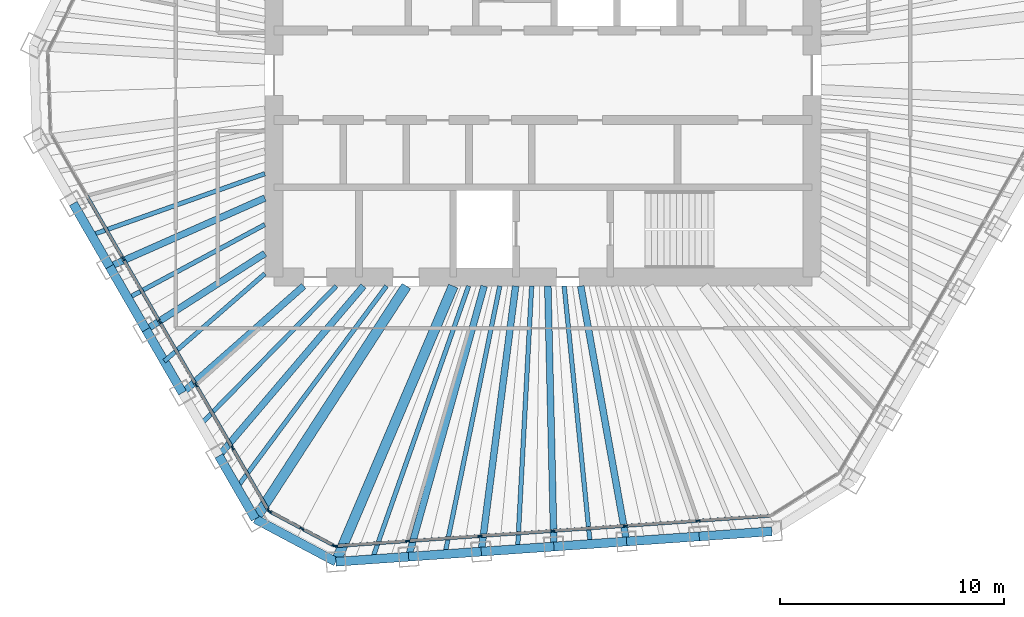
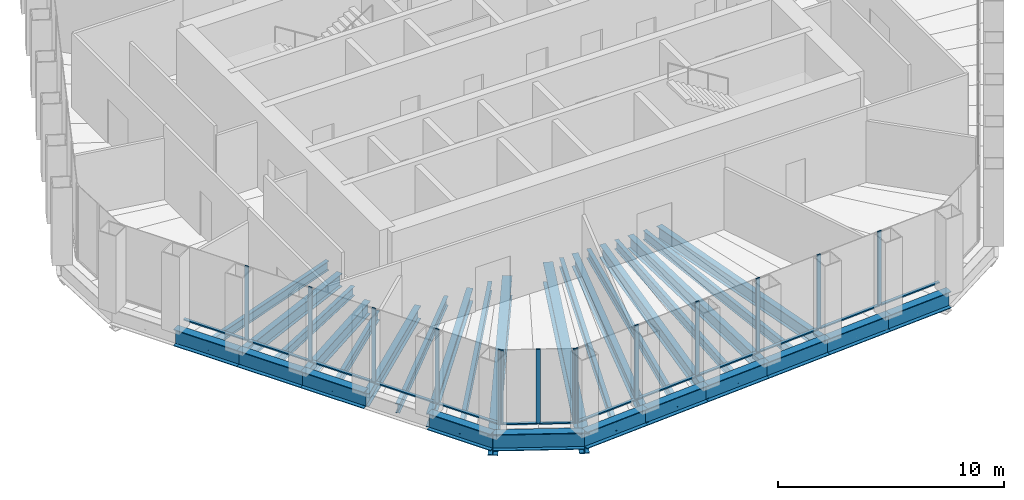
# One storey, part 2 of 14: 30 beams, 27 members, 3 elements without a shape of their own.
"""IFC4 building model written with IfcOpenShell, lengths in metres."""

import ifcopenshell
import ifcopenshell.guid

model = None  # the IFC model being written
_history = None  # IfcOwnerHistory: only IFC2X3 demands one
_inside = {}  # id of a spatial element -> (the spatial element, [elements in it])
_under = {}  # id of a project, library or spatial element -> (it, [spatial elements below it])
_declared = {}  # id of a project -> (the project, [libraries it declares])
_typed = {}  # id of a type object -> (the type object, [elements of that type])
_made_of = {}  # id of a material, layer set ... -> (it, [elements and type objects made of it])


def new_model(schema):
    """Start an empty IFC model of exactly this schema.

    Asked for "IFC4X3", IfcOpenShell would pick the latest addendum, in which some entities
    have other attributes; the version numbers below select the first issue.
    IFC2X3 requires an IfcOwnerHistory on every rooted entity: one is made here for all.
    """
    global model, _history
    if schema == "IFC4X3":
        model = ifcopenshell.file(schema_version=(4, 3, 0, 0))
    else:
        model = ifcopenshell.file(schema=schema)
    _inside.clear()
    _under.clear()
    _declared.clear()
    _typed.clear()
    _made_of.clear()
    _history = None
    if model.schema == "IFC2X3":
        org = make("IfcOrganization", Name="unknown")
        user = make(
            "IfcPersonAndOrganization",
            ThePerson=make("IfcPerson", FamilyName="unknown"),
            TheOrganization=org,
        )
        app = make(
            "IfcApplication",
            ApplicationDeveloper=org,
            Version="unknown",
            ApplicationFullName="unknown",
            ApplicationIdentifier="unknown",
        )
        _history = make(
            "IfcOwnerHistory",
            OwningUser=user,
            OwningApplication=app,
            ChangeAction="ADDED",
            CreationDate=0,
        )
    return model


def make(cls, **values):
    """One entity of the class cls with the attributes given. An attribute that is None is left unset."""
    return model.create_entity(
        cls, **{name: value for name, value in values.items() if value is not None}
    )


def rooted(cls, **values):
    """An entity with a GlobalId (a new one), such as an element, a storey or a relation."""
    return make(cls, GlobalId=ifcopenshell.guid.new(), OwnerHistory=_history, **values)


def si_unit(unit_type, name, prefix=None):
    """IfcSIUnit, for example si_unit("LENGTHUNIT", "METRE", prefix="MILLI")."""
    return make("IfcSIUnit", UnitType=unit_type, Prefix=prefix, Name=name)


def assignment(units):
    """IfcUnitAssignment: the units of a project."""
    return None if units is None else make("IfcUnitAssignment", Units=units)


def point(xyz):
    """IfcCartesianPoint."""
    return None if xyz is None else make("IfcCartesianPoint", Coordinates=xyz)


def direction(xyz):
    """IfcDirection."""
    return None if xyz is None else make("IfcDirection", DirectionRatios=xyz)


def frame(location, z_axis=None, x_axis=None):
    """IfcAxis2Placement3D, a coordinate frame: its origin and axes. An axis left out is left unset."""
    return make(
        "IfcAxis2Placement3D",
        Location=point(location),
        Axis=direction(z_axis),
        RefDirection=direction(x_axis),
    )


def frame_2d(location, x_axis=None):
    """IfcAxis2Placement2D, a coordinate frame in the plane: its origin and x axis."""
    return make(
        "IfcAxis2Placement2D", Location=point(location), RefDirection=direction(x_axis)
    )


def origin():
    """The frame at (0, 0, 0) with its axes left unset."""
    return frame((0.0, 0.0, 0.0))


def origin_2d():
    """The frame at (0, 0) in the plane with its x axis left unset."""
    return frame_2d((0.0, 0.0))


def place(relative_to, where):
    """IfcLocalPlacement: puts the frame where relative to a parent placement (None: the world)."""
    return make(
        "IfcLocalPlacement", PlacementRelTo=relative_to, RelativePlacement=where
    )


def context(
    kind, dimensions, precision=None, world=None, true_north=None, identifier=None
):
    """IfcGeometricRepresentationContext, for example the 3D "Model" context."""
    return make(
        "IfcGeometricRepresentationContext",
        ContextIdentifier=identifier,
        ContextType=kind,
        CoordinateSpaceDimension=dimensions,
        Precision=precision,
        WorldCoordinateSystem=world,
        TrueNorth=true_north,
    )


def subcontext(parent, identifier, kind, view, scale=None):
    """IfcGeometricRepresentationSubContext, for example "Body" below "Model"."""
    return make(
        "IfcGeometricRepresentationSubContext",
        ContextIdentifier=identifier,
        ContextType=kind,
        ParentContext=parent,
        TargetScale=scale,
        TargetView=view,
    )


def project(units=None, contexts=None):
    """IfcProject with its units and contexts."""
    return rooted(
        "IfcProject",
        Name="project",
        RepresentationContexts=contexts,
        UnitsInContext=assignment(units),
    )


def spatial(cls, under=None, at=None, **own):
    """A site, building, storey or space (cls), placed at a placement, below another one or the project."""
    s = rooted(cls, ObjectPlacement=at, **own)
    if under is not None:
        _under.setdefault(under.id(), (under, []))[1].append(s)
    return s


def profile(cls, at=None, kind="AREA", **sizes):
    """A parametric profile (cls). Its sizes go by their IFC names, for example OverallWidth=200.0."""
    return make(cls, ProfileType=kind, Position=at, **sizes)


def rectangle(**sizes):
    """IfcRectangleProfileDef."""
    return profile("IfcRectangleProfileDef", **sizes)


def i_section(**sizes):
    """IfcIShapeProfileDef."""
    return profile("IfcIShapeProfileDef", **sizes)


def extrude(swept, where, along, depth):
    """IfcExtrudedAreaSolid: the profile swept, set in the frame where, extruded along a direction by depth."""
    return make(
        "IfcExtrudedAreaSolid",
        SweptArea=swept,
        Position=where,
        ExtrudedDirection=direction(along),
        Depth=depth,
    )


def shape(context_of_items, identifier, shape_type, items):
    """IfcShapeRepresentation: the items that make up one representation, for example the "Body"."""
    return make(
        "IfcShapeRepresentation",
        ContextOfItems=context_of_items,
        RepresentationIdentifier=identifier,
        RepresentationType=shape_type,
        Items=items,
    )


def material(Name=None, Category=None):
    """IfcMaterial."""
    return make("IfcMaterial", Name=Name, Category=Category)


def material_profile(
    of_material, cross_section, Name=None, Category=None, Priority=None
):
    """IfcMaterialProfile: a cross section and its material."""
    return make(
        "IfcMaterialProfile",
        Name=Name,
        Material=of_material,
        Profile=cross_section,
        Priority=Priority,
        Category=Category,
    )


def profile_set(profiles, Name=None, composite=None):
    """IfcMaterialProfileSet."""
    return make(
        "IfcMaterialProfileSet",
        Name=Name,
        MaterialProfiles=profiles,
        CompositeProfile=composite,
    )


def made_of(thing, what):
    """Note that an element or type object is made of a material, layer set ...; save() writes the relation."""
    if what is not None:
        _made_of.setdefault(what.id(), (what, []))[1].append(thing)
    return thing


def type_object(cls, material=None, **own):
    """A type object (cls), such as IfcWallType, which elements share."""
    return made_of(rooted(cls, **own), material)


def element(
    cls,
    number,
    at=None,
    inside=None,
    cuts=None,
    type_object=None,
    material=None,
    context=None,
    identifier="Body",
    shape_type=None,
    held_by="IfcProductDefinitionShape",
    body=None,
    shapes=None,
    **own,
):
    """One element of the class cls, such as IfcWall. Its Tag is "e" and its number.

    at: its placement. inside: the storey or other place that contains it. cuts: it is an
    opening in that element (IfcRelVoidsElement). A single representation is given by context,
    identifier, shape_type and body (its items); several are given by shapes. held_by: the class
    of the entity that holds the representations. save() writes the other relations.
    """
    e = rooted(cls, Tag="e%d" % number, ObjectPlacement=at, **own)
    if body is not None:
        shapes = [shape(context, identifier, shape_type, body)]
    if shapes is not None:
        e.Representation = make(held_by, Representations=shapes)
    if inside is not None:
        _inside.setdefault(inside.id(), (inside, []))[1].append(e)
    if cuts is not None:
        rooted(
            "IfcRelVoidsElement", RelatingBuildingElement=cuts, RelatedOpeningElement=e
        )
    if type_object is not None:
        _typed.setdefault(type_object.id(), (type_object, []))[1].append(e)
    return made_of(e, material)


def aggregate(whole, parts):
    """IfcRelAggregates: a whole, such as a stair, and the parts it consists of."""
    return rooted("IfcRelAggregates", RelatingObject=whole, RelatedObjects=parts)


def save(model, path):
    """Write the relations noted so far, then the file.

    IfcRelAggregates (storeys below a building ...), IfcRelContainedInSpatialStructure (elements
    in a storey), IfcRelDefinesByType, IfcRelAssociatesMaterial and IfcRelDeclares: one each for
    every whole, place, type object, material and project.
    """
    for whole, parts in _under.values():
        aggregate(whole, parts)
    for where, things in _inside.values():
        rooted(
            "IfcRelContainedInSpatialStructure",
            RelatedElements=things,
            RelatingStructure=where,
        )
    for kind, things in _typed.values():
        rooted("IfcRelDefinesByType", RelatedObjects=things, RelatingType=kind)
    for what, things in _made_of.values():
        rooted("IfcRelAssociatesMaterial", RelatedObjects=things, RelatingMaterial=what)
    for by, libraries in _declared.values():
        rooted("IfcRelDeclares", RelatingContext=by, RelatedDefinitions=libraries)
    model.write(path)


model = new_model("IFC4")

# Units and contexts
model_context = context("Model", 3, precision=1e-05, world=origin(), true_north=direction((0.0, 1.0)))
body_context = subcontext(model_context, "Body", "Model", "MODEL_VIEW")
ifc_project = project(units=[si_unit("LENGTHUNIT", "METRE"), si_unit("AREAUNIT", "SQUARE_METRE"), si_unit("VOLUMEUNIT", "CUBIC_METRE"), si_unit("PLANEANGLEUNIT", "RADIAN"), si_unit("MASSUNIT", "GRAM", prefix="KILO")], contexts=[model_context])

# Site, building, storey
site_placement = place(None, origin())
site = spatial("IfcSite", under=ifc_project, at=site_placement, CompositionType="ELEMENT")
building_placement = place(site_placement, origin())
building = spatial("IfcBuilding", under=site, at=building_placement, Name="Qingtian Harvest Tower", CompositionType="ELEMENT")
storey_placement = place(building_placement, frame((0.0, 0.0, 320.800048828125)))
storey = spatial("IfcBuildingStorey", under=building, at=storey_placement, Name="L71", CompositionType="ELEMENT", Elevation=320.800048828125)

# Beams
ifc_material_1 = material(Name="Steel SM570MC", Category="steel")
ifc_material_profile_1 = material_profile(ifc_material_1, i_section(OverallWidth=0.449951171875, OverallDepth=1.10009765625, WebThickness=0.02197265625, FlangeThickness=0.044921875, at=origin_2d()), Name="H1100x450x22x45")
ifc_profile_set_1 = profile_set([ifc_material_profile_1], Name="Steel SM570MC")
beam_type_1 = type_object("IfcBeamType", Name="Corner floor beam FB8 H1100x450x22x45", PredefinedType="BEAM", material=ifc_profile_set_1)
beam_1_placement = place(storey_placement, frame((-9.231201171875, -21.69677734375, -0.719970703125), z_axis=(0.391505797179, 0.920175641264, 0.0), x_axis=(-0.920175641264, 0.391505797179, 0.0)))
element("IfcBeam", 1, at=beam_1_placement, inside=storey, type_object=beam_type_1, Name="Floor beam FB8 S6", PredefinedType="BEAM", context=body_context, shape_type="SweptSolid", body=[
    extrude(i_section(OverallWidth=0.449951171875, OverallDepth=1.10009765625, WebThickness=0.02197265625, FlangeThickness=0.044921875, at=origin_2d()), origin(), (0.0, 0.0, 1.0), 13.363525390625),
])
beam_2_placement = place(storey_placement, frame((-12.825439453125, -19.78564453125, -0.719970703125), z_axis=(0.543934037964, 0.839127977334, 0.0), x_axis=(-0.839127977334, 0.543934037964, 0.0)))
element("IfcBeam", 2, at=beam_2_placement, inside=storey, type_object=beam_type_1, Name="Floor beam FB8 SW0", PredefinedType="BEAM", context=body_context, shape_type="SweptSolid", body=[
    extrude(i_section(OverallWidth=0.449951171875, OverallDepth=1.10009765625, WebThickness=0.02197265625, FlangeThickness=0.044921875, at=origin_2d()), origin(), (0.0, 0.0, 1.0), 12.376708984375),
])
ifc_material_2 = material(Name="Steel SN490B", Category="steel")
ifc_material_profile_2 = material_profile(ifc_material_2, i_section(OverallWidth=0.300048828125, OverallDepth=0.699951171875, WebThickness=0.012939453125, FlangeThickness=0.02392578125, at=origin_2d()), Name="H700x300x13x24")
ifc_profile_set_2 = profile_set([ifc_material_profile_2], Name="Steel SN490B")
beam_type_2 = type_object("IfcBeamType", Name="Floor beam FB4 H700x300x13x24", PredefinedType="BEAM", material=ifc_profile_set_2)
beam_3_placement = place(storey_placement, frame((3.729248046875, -20.79052734375, -0.52001953125), z_axis=(-0.176558725829, 0.984290107811, 0.0), x_axis=(-0.984290107811, -0.176558725829, 0.0)))
element("IfcBeam", 3, at=beam_3_placement, inside=storey, type_object=beam_type_2, Name="Floor beam FB4 S2", PredefinedType="BEAM", context=body_context, shape_type="SweptSolid", body=[
    extrude(i_section(OverallWidth=0.300048828125, OverallDepth=0.699951171875, WebThickness=0.012939453125, FlangeThickness=0.02392578125, at=origin_2d()), origin(), (0.0, 0.0, 1.0), 11.572509765625),
])
beam_4_placement = place(storey_placement, frame((0.489013671875, -21.01708984375, -0.52001953125), z_axis=(-0.023257829451, 0.9997295001, 0.0), x_axis=(-0.9997295001, -0.023257829451, 0.0)))
element("IfcBeam", 4, at=beam_4_placement, inside=storey, type_object=beam_type_2, Name="Floor beam FB4 S3", PredefinedType="BEAM", context=body_context, shape_type="SweptSolid", body=[
    extrude(i_section(OverallWidth=0.300048828125, OverallDepth=0.699951171875, WebThickness=0.012939453125, FlangeThickness=0.02392578125, at=origin_2d()), origin(), (0.0, 0.0, 1.0), 11.620361328125),
])
beam_5_placement = place(storey_placement, frame((-2.7509765625, -21.24365234375, -0.52001953125), z_axis=(0.128421483878, 0.991719679385, 0.0), x_axis=(-0.991719679385, 0.128421483878, 0.0)))
element("IfcBeam", 5, at=beam_5_placement, inside=storey, type_object=beam_type_2, Name="Floor beam FB4 S4", PredefinedType="BEAM", context=body_context, shape_type="SweptSolid", body=[
    extrude(i_section(OverallWidth=0.300048828125, OverallDepth=0.699951171875, WebThickness=0.012939453125, FlangeThickness=0.02392578125, at=origin_2d()), origin(), (0.0, 0.0, 1.0), 11.942626953125),
])
beam_6_placement = place(storey_placement, frame((-5.9912109375, -21.47021484375, -0.52001953125), z_axis=(0.268777110088, 0.963202400896, 0.0), x_axis=(-0.963202400896, 0.268777110088, 0.0)))
element("IfcBeam", 6, at=beam_6_placement, inside=storey, type_object=beam_type_2, Name="Floor beam FB4 S5", PredefinedType="BEAM", context=body_context, shape_type="SweptSolid", body=[
    extrude(i_section(OverallWidth=0.300048828125, OverallDepth=0.699951171875, WebThickness=0.012939453125, FlangeThickness=0.02392578125, at=origin_2d()), origin(), (0.0, 0.0, 1.0), 12.531494140625),
])
beam_7_placement = place(storey_placement, frame((-14.449462890625, -16.972900390625, -0.52001953125), z_axis=(0.648230392117, 0.761444258457, 0.0), x_axis=(-0.761444258457, 0.648230392117, 0.0)))
element("IfcBeam", 7, at=beam_7_placement, inside=storey, type_object=beam_type_2, Name="Floor beam FB4 SW1", PredefinedType="BEAM", context=body_context, shape_type="SweptSolid", body=[
    extrude(i_section(OverallWidth=0.300048828125, OverallDepth=0.699951171875, WebThickness=0.012939453125, FlangeThickness=0.02392578125, at=origin_2d()), origin(), (0.0, 0.0, 1.0), 9.945556640625),
])
beam_8_placement = place(storey_placement, frame((-16.073486328125, -14.159912109375, -0.52001953125), z_axis=(0.750362998803, 0.661025997997, 0.0), x_axis=(-0.661025997997, 0.750362998803, 0.0)))
element("IfcBeam", 8, at=beam_8_placement, inside=storey, type_object=beam_type_2, Name="Floor beam FB4 SW2", PredefinedType="BEAM", context=body_context, shape_type="SweptSolid", body=[
    extrude(i_section(OverallWidth=0.300048828125, OverallDepth=0.699951171875, WebThickness=0.012939453125, FlangeThickness=0.02392578125, at=origin_2d()), origin(), (0.0, 0.0, 1.0), 7.200927734375),
])
beam_9_placement = place(storey_placement, frame((-17.697509765625, -11.34716796875, -0.52001953125), z_axis=(0.841819476537, 0.539759176785, 0.0), x_axis=(-0.539759176785, 0.841819476537, 0.0)))
element("IfcBeam", 9, at=beam_9_placement, inside=storey, type_object=beam_type_2, Name="Floor beam FB4 SW3", PredefinedType="BEAM", context=body_context, shape_type="SweptSolid", body=[
    extrude(i_section(OverallWidth=0.300048828125, OverallDepth=0.699951171875, WebThickness=0.012939453125, FlangeThickness=0.02392578125, at=origin_2d()), origin(), (0.0, 0.0, 1.0), 6.29296875),
])
beam_10_placement = place(storey_placement, frame((-19.321533203125, -8.5341796875, -0.52001953125), z_axis=(0.914748451897, 0.404023848, 0.0), x_axis=(-0.404023848, 0.914748451897, 0.0)))
element("IfcBeam", 10, at=beam_10_placement, inside=storey, type_object=beam_type_2, Name="Floor beam FB4 SW4", PredefinedType="BEAM", context=body_context, shape_type="SweptSolid", body=[
    extrude(i_section(OverallWidth=0.300048828125, OverallDepth=0.699951171875, WebThickness=0.012939453125, FlangeThickness=0.02392578125, at=origin_2d()), origin(), (0.0, 0.0, 1.0), 7.566650390625),
])
ifc_material_3 = material(Name="Steel SN490B", Category="steel")
ifc_material_profile_3 = material_profile(ifc_material_3, i_section(OverallWidth=0.199951171875, OverallDepth=0.5, WebThickness=0.010009765625, FlangeThickness=0.01611328125, at=origin_2d()), Name="H500x200x10x16")
ifc_profile_set_3 = profile_set([ifc_material_profile_3], Name="Steel SN490B")
beam_type_3 = type_object("IfcBeamType", Name="Floor joist J3 H500x200x10x16", PredefinedType="JOIST", material=ifc_profile_set_3)
beam_11_placement = place(storey_placement, frame((2.109130859375, -20.90380859375, -0.420166015625), z_axis=(-0.100381738783, 0.994948996943, 0.0), x_axis=(-0.994948996943, -0.100381738783, 0.0)))
element("IfcBeam", 11, at=beam_11_placement, inside=storey, type_object=beam_type_3, Name="Floor joist J3 S2", PredefinedType="JOIST", context=body_context, shape_type="SweptSolid", body=[
    extrude(i_section(OverallWidth=0.199951171875, OverallDepth=0.5, WebThickness=0.010009765625, FlangeThickness=0.01611328125, at=origin_2d()), origin(), (0.0, 0.0, 1.0), 11.562255859375),
])
beam_12_placement = place(storey_placement, frame((-1.130859375, -21.13037109375, -0.420166015625), z_axis=(0.053432551321, 0.998571460868, 0.0), x_axis=(-0.998571460868, 0.053432551321, 0.0)))
element("IfcBeam", 12, at=beam_12_placement, inside=storey, type_object=beam_type_3, Name="Floor joist J3 S3", PredefinedType="JOIST", context=body_context, shape_type="SweptSolid", body=[
    extrude(i_section(OverallWidth=0.199951171875, OverallDepth=0.5, WebThickness=0.010009765625, FlangeThickness=0.01611328125, at=origin_2d()), origin(), (0.0, 0.0, 1.0), 11.747314453125),
])
beam_13_placement = place(storey_placement, frame((-4.37109375, -21.35693359375, -0.420166015625), z_axis=(0.200514926646, 0.97969064719, 0.0), x_axis=(-0.97969064719, 0.200514926646, 0.0)))
element("IfcBeam", 13, at=beam_13_placement, inside=storey, type_object=beam_type_3, Name="Floor joist J3 S4", PredefinedType="JOIST", context=body_context, shape_type="SweptSolid", body=[
    extrude(i_section(OverallWidth=0.199951171875, OverallDepth=0.5, WebThickness=0.010009765625, FlangeThickness=0.01611328125, at=origin_2d()), origin(), (0.0, 0.0, 1.0), 12.204833984375),
])
beam_14_placement = place(storey_placement, frame((-7.611083984375, -21.58349609375, -0.420166015625), z_axis=(0.332565071267, 0.9430803112, 0.0), x_axis=(-0.9430803112, 0.332565071267, 0.0)))
element("IfcBeam", 14, at=beam_14_placement, inside=storey, type_object=beam_type_3, Name="Floor joist J3 S5", PredefinedType="JOIST", context=body_context, shape_type="SweptSolid", body=[
    extrude(i_section(OverallWidth=0.199951171875, OverallDepth=0.5, WebThickness=0.010009765625, FlangeThickness=0.01611328125, at=origin_2d()), origin(), (0.0, 0.0, 1.0), 12.9189453125),
])
beam_15_placement = place(storey_placement, frame((-13.637451171875, -18.37939453125, -0.420166015625), z_axis=(0.595869637911, 0.803081175608, 0.0), x_axis=(-0.803081175608, 0.595869637911, 0.0)))
element("IfcBeam", 15, at=beam_15_placement, inside=storey, type_object=beam_type_3, Name="Floor joist J3 SW0", PredefinedType="JOIST", context=body_context, shape_type="SweptSolid", body=[
    extrude(i_section(OverallWidth=0.199951171875, OverallDepth=0.5, WebThickness=0.010009765625, FlangeThickness=0.01611328125, at=origin_2d()), origin(), (0.0, 0.0, 1.0), 11.181396484375),
])
beam_16_placement = place(storey_placement, frame((-15.261474609375, -15.56640625, -0.420166015625), z_axis=(0.700075085428, 0.714069236673, 0.0), x_axis=(-0.714069236673, 0.700075085428, 0.0)))
element("IfcBeam", 16, at=beam_16_placement, inside=storey, type_object=beam_type_3, Name="Floor joist J3 SW1", PredefinedType="JOIST", context=body_context, shape_type="SweptSolid", body=[
    extrude(i_section(OverallWidth=0.199951171875, OverallDepth=0.5, WebThickness=0.010009765625, FlangeThickness=0.01611328125, at=origin_2d()), origin(), (0.0, 0.0, 1.0), 8.6357421875),
])
beam_17_placement = place(storey_placement, frame((-16.885498046875, -12.753662109375, -0.420166015625), z_axis=(0.754351783553, 0.656470400437, 0.0), x_axis=(-0.656470400437, 0.754351783553, 0.0)))
element("IfcBeam", 17, at=beam_17_placement, inside=storey, type_object=beam_type_3, Name="Floor joist J3 SW2", PredefinedType="JOIST", context=body_context, shape_type="SweptSolid", body=[
    extrude(i_section(OverallWidth=0.199951171875, OverallDepth=0.5, WebThickness=0.010009765625, FlangeThickness=0.01611328125, at=origin_2d()), origin(), (0.0, 0.0, 1.0), 5.9462890625),
])
beam_18_placement = place(storey_placement, frame((-18.509521484375, -9.940673828125, -0.420166015625), z_axis=(0.880999592364, 0.473117023847, 0.0), x_axis=(-0.473117023847, 0.880999592364, 0.0)))
element("IfcBeam", 18, at=beam_18_placement, inside=storey, type_object=beam_type_3, Name="Floor joist J3 SW3", PredefinedType="JOIST", context=body_context, shape_type="SweptSolid", body=[
    extrude(i_section(OverallWidth=0.199951171875, OverallDepth=0.5, WebThickness=0.010009765625, FlangeThickness=0.01611328125, at=origin_2d()), origin(), (0.0, 0.0, 1.0), 6.934814453125),
])
beam_19_placement = place(storey_placement, frame((-20.133544921875, -7.1279296875, -0.420166015625), z_axis=(0.942664093486, 0.333743025174, 0.0), x_axis=(-0.333743025174, 0.942664093486, 0.0)))
element("IfcBeam", 19, at=beam_19_placement, inside=storey, type_object=beam_type_3, Name="Floor joist J3 SW4", PredefinedType="JOIST", context=body_context, shape_type="SweptSolid", body=[
    extrude(i_section(OverallWidth=0.199951171875, OverallDepth=0.5, WebThickness=0.010009765625, FlangeThickness=0.01611328125, at=origin_2d()), origin(), (0.0, 0.0, 1.0), 8.2041015625),
])

# Curtain wall, members
ifc_material_4 = material(Name="Bronze-anodised aluminium curtain wall", Category="aluminium")
curtain_wall_type = type_object("IfcCurtainWallType", Name="Curtain wall CW5 upper office", PredefinedType="USERDEFINED", material=ifc_material_4)
curtain_wall_1_placement = place(storey_placement, origin())
curtain_wall_1 = element("IfcCurtainWall", 20, at=curtain_wall_1_placement, inside=storey, type_object=curtain_wall_type, Name="Curtain wall CW5 L71 S0-5", ObjectType="RECESSED CURTAIN WALL", PredefinedType="USERDEFINED")
ifc_material_5 = material(Name="Bronze-anodised aluminium mullion", Category="aluminium")
ifc_material_profile_4 = material_profile(ifc_material_5, rectangle(XDim=0.06494140625, YDim=0.199951171875, at=origin_2d()), Name="AL 65x200")
ifc_profile_set_4 = profile_set([ifc_material_profile_4], Name="Bronze-anodised aluminium mullion")
member_type_1 = type_object("IfcMemberType", Name="Mullion CWM 65x200", PredefinedType="MULLION", material=ifc_profile_set_4)
member_1_placement = place(storey_placement, frame((6.92041015625, -19.86572265625, 0.0), z_axis=(0.0, 0.0, 1.0), x_axis=(0.069756473744, -0.99756405026, 0.0)))
member_1 = element("IfcMember", 21, at=member_1_placement, type_object=member_type_1, Name="CW5 mullion 2", PredefinedType="MULLION", context=body_context, shape_type="SweptSolid", body=[
    extrude(rectangle(XDim=0.06494140625, YDim=0.199951171875, at=origin_2d()), origin(), (0.0, 0.0, 1.0), 4.030029296875),
])
member_2_placement = place(storey_placement, frame((3.680419921875, -20.09228515625, 0.0), z_axis=(0.0, 0.0, 1.0), x_axis=(0.069756473744, -0.99756405026, 0.0)))
member_2 = element("IfcMember", 22, at=member_2_placement, type_object=member_type_1, Name="CW5 mullion 3", PredefinedType="MULLION", context=body_context, shape_type="SweptSolid", body=[
    extrude(rectangle(XDim=0.06494140625, YDim=0.199951171875, at=origin_2d()), origin(), (0.0, 0.0, 1.0), 4.030029296875),
])
member_3_placement = place(storey_placement, frame((0.440185546875, -20.31884765625, 0.0), z_axis=(0.0, 0.0, 1.0), x_axis=(0.069756473744, -0.99756405026, 0.0)))
member_3 = element("IfcMember", 23, at=member_3_placement, type_object=member_type_1, Name="CW5 mullion 4", PredefinedType="MULLION", context=body_context, shape_type="SweptSolid", body=[
    extrude(rectangle(XDim=0.06494140625, YDim=0.199951171875, at=origin_2d()), origin(), (0.0, 0.0, 1.0), 4.030029296875),
])
member_4_placement = place(storey_placement, frame((-2.7998046875, -20.54541015625, 0.0), z_axis=(0.0, 0.0, 1.0), x_axis=(0.069756473744, -0.99756405026, 0.0)))
member_4 = element("IfcMember", 24, at=member_4_placement, type_object=member_type_1, Name="CW5 mullion 5", PredefinedType="MULLION", context=body_context, shape_type="SweptSolid", body=[
    extrude(rectangle(XDim=0.06494140625, YDim=0.199951171875, at=origin_2d()), origin(), (0.0, 0.0, 1.0), 4.030029296875),
])
member_5_placement = place(storey_placement, frame((-6.0400390625, -20.77197265625, 0.0), z_axis=(0.0, 0.0, 1.0), x_axis=(0.069756473744, -0.99756405026, 0.0)))
member_5 = element("IfcMember", 25, at=member_5_placement, type_object=member_type_1, Name="CW5 mullion 6", PredefinedType="MULLION", context=body_context, shape_type="SweptSolid", body=[
    extrude(rectangle(XDim=0.06494140625, YDim=0.199951171875, at=origin_2d()), origin(), (0.0, 0.0, 1.0), 4.030029296875),
])
member_6_placement = place(storey_placement, frame((-9.24755859375, -20.996337890625, 0.0), z_axis=(0.0, 0.0, 1.0), x_axis=(0.069756473744, -0.99756405026, 0.0)))
member_6 = element("IfcMember", 26, at=member_6_placement, type_object=member_type_1, Name="CW5 mullion 7", PredefinedType="MULLION", context=body_context, shape_type="SweptSolid", body=[
    extrude(rectangle(XDim=0.06494140625, YDim=0.199951171875, at=origin_2d()), origin(), (0.0, 0.0, 1.0), 4.030029296875),
])

curtain_wall_2_placement = place(storey_placement, origin())
curtain_wall_2 = element("IfcCurtainWall", 27, at=curtain_wall_2_placement, inside=storey, type_object=curtain_wall_type, Name="Curtain wall CW5 L71 SC", ObjectType="RECESSED CURTAIN WALL", PredefinedType="USERDEFINED")
member_7_placement = place(storey_placement, frame((-9.308837890625, -20.983154296875, 0.0), z_axis=(0.0, 0.0, 1.0), x_axis=(-0.469471562786, -0.882947592859, 0.0)))
member_7 = element("IfcMember", 28, at=member_7_placement, type_object=member_type_1, Name="CW5 mullion 1", PredefinedType="MULLION", context=body_context, shape_type="SweptSolid", body=[
    extrude(rectangle(XDim=0.06494140625, YDim=0.199951171875, at=origin_2d()), origin(), (0.0, 0.0, 1.0), 4.030029296875),
])
member_8_placement = place(storey_placement, frame((-10.749755859375, -20.217041015625, 0.0), z_axis=(0.0, 0.0, 1.0), x_axis=(-0.469471562786, -0.882947592859, 0.0)))
member_8 = element("IfcMember", 29, at=member_8_placement, type_object=member_type_1, Name="CW5 mullion 2", PredefinedType="MULLION", context=body_context, shape_type="SweptSolid", body=[
    extrude(rectangle(XDim=0.06494140625, YDim=0.199951171875, at=origin_2d()), origin(), (0.0, 0.0, 1.0), 4.030029296875),
])
member_9_placement = place(storey_placement, frame((-12.1904296875, -19.450927734375, 0.0), z_axis=(0.0, 0.0, 1.0), x_axis=(-0.469471562786, -0.882947592859, 0.0)))
member_9 = element("IfcMember", 30, at=member_9_placement, type_object=member_type_1, Name="CW5 mullion 3", PredefinedType="MULLION", context=body_context, shape_type="SweptSolid", body=[
    extrude(rectangle(XDim=0.06494140625, YDim=0.199951171875, at=origin_2d()), origin(), (0.0, 0.0, 1.0), 4.030029296875),
])

curtain_wall_3_placement = place(storey_placement, origin())
curtain_wall_3 = element("IfcCurtainWall", 31, at=curtain_wall_3_placement, inside=storey, type_object=curtain_wall_type, Name="Curtain wall CW5 L71 SW0-5", ObjectType="RECESSED CURTAIN WALL", PredefinedType="USERDEFINED")
member_10_placement = place(storey_placement, frame((-12.2353515625, -19.40771484375, 0.0), z_axis=(0.0, 0.0, 1.0), x_axis=(-0.866025403784, -0.5, 0.0)))
member_10 = element("IfcMember", 32, at=member_10_placement, type_object=member_type_1, Name="CW5 mullion 1", PredefinedType="MULLION", context=body_context, shape_type="SweptSolid", body=[
    extrude(rectangle(XDim=0.06494140625, YDim=0.199951171875, at=origin_2d()), origin(), (0.0, 0.0, 1.0), 4.030029296875),
])
member_11_placement = place(storey_placement, frame((-13.84326171875, -16.622802734375, 0.0), z_axis=(0.0, 0.0, 1.0), x_axis=(-0.866025403784, -0.5, 0.0)))
member_11 = element("IfcMember", 33, at=member_11_placement, type_object=member_type_1, Name="CW5 mullion 2", PredefinedType="MULLION", context=body_context, shape_type="SweptSolid", body=[
    extrude(rectangle(XDim=0.06494140625, YDim=0.199951171875, at=origin_2d()), origin(), (0.0, 0.0, 1.0), 4.030029296875),
])
member_12_placement = place(storey_placement, frame((-15.46728515625, -13.81005859375, 0.0), z_axis=(0.0, 0.0, 1.0), x_axis=(-0.866025403784, -0.5, 0.0)))
member_12 = element("IfcMember", 34, at=member_12_placement, type_object=member_type_1, Name="CW5 mullion 3", PredefinedType="MULLION", context=body_context, shape_type="SweptSolid", body=[
    extrude(rectangle(XDim=0.06494140625, YDim=0.199951171875, at=origin_2d()), origin(), (0.0, 0.0, 1.0), 4.030029296875),
])
member_13_placement = place(storey_placement, frame((-17.09130859375, -10.9970703125, 0.0), z_axis=(0.0, 0.0, 1.0), x_axis=(-0.866025403784, -0.5, 0.0)))
member_13 = element("IfcMember", 35, at=member_13_placement, type_object=member_type_1, Name="CW5 mullion 4", PredefinedType="MULLION", context=body_context, shape_type="SweptSolid", body=[
    extrude(rectangle(XDim=0.06494140625, YDim=0.199951171875, at=origin_2d()), origin(), (0.0, 0.0, 1.0), 4.030029296875),
])
member_14_placement = place(storey_placement, frame((-18.71533203125, -8.184326171875, 0.0), z_axis=(0.0, 0.0, 1.0), x_axis=(-0.866025403784, -0.5, 0.0)))
member_14 = element("IfcMember", 36, at=member_14_placement, type_object=member_type_1, Name="CW5 mullion 5", PredefinedType="MULLION", context=body_context, shape_type="SweptSolid", body=[
    extrude(rectangle(XDim=0.06494140625, YDim=0.199951171875, at=origin_2d()), origin(), (0.0, 0.0, 1.0), 4.030029296875),
])

# Beams
ifc_material_6 = material(Name="Steel SN490B", Category="steel")
ifc_material_profile_5 = material_profile(ifc_material_6, i_section(OverallWidth=0.39990234375, OverallDepth=0.89990234375, WebThickness=0.01904296875, FlangeThickness=0.035888671875, at=origin_2d()), Name="H900x400x19x36")
ifc_profile_set_5 = profile_set([ifc_material_profile_5], Name="Steel SN490B")
beam_type_4 = type_object("IfcBeamType", Name="Spandrel beam SB4 H900x400x19x36", PredefinedType="SPANDREL", material=ifc_profile_set_5)
beam_20_placement = place(storey_placement, frame((10.20947265625, -20.33740234375, -0.449951171875), z_axis=(-0.9975644093, -0.069751339047, 0.0), x_axis=(0.069751339047, -0.9975644093, 0.0)))
element("IfcBeam", 37, at=beam_20_placement, inside=storey, type_object=beam_type_4, Name="Spandrel SB4 S0", PredefinedType="SPANDREL", context=body_context, shape_type="SweptSolid", body=[
    extrude(i_section(OverallWidth=0.39990234375, OverallDepth=0.89990234375, WebThickness=0.01904296875, FlangeThickness=0.035888671875, at=origin_2d()), origin(), (0.0, 0.0, 1.0), 3.248046875),
])
beam_21_placement = place(storey_placement, frame((6.96923828125, -20.56396484375, -0.449951171875), z_axis=(-0.997564043571, -0.069756569394, 0.0), x_axis=(0.069756569394, -0.997564043571, 0.0)))
element("IfcBeam", 38, at=beam_21_placement, inside=storey, type_object=beam_type_4, Name="Spandrel SB4 S1", PredefinedType="SPANDREL", context=body_context, shape_type="SweptSolid", body=[
    extrude(i_section(OverallWidth=0.39990234375, OverallDepth=0.89990234375, WebThickness=0.01904296875, FlangeThickness=0.035888671875, at=origin_2d()), origin(), (0.0, 0.0, 1.0), 3.247802734375),
])
beam_22_placement = place(storey_placement, frame((3.729248046875, -20.79052734375, -0.449951171875), z_axis=(-0.9975644093, -0.069751339047, 0.0), x_axis=(0.069751339047, -0.9975644093, 0.0)))
element("IfcBeam", 39, at=beam_22_placement, inside=storey, type_object=beam_type_4, Name="Spandrel SB4 S2", PredefinedType="SPANDREL", context=body_context, shape_type="SweptSolid", body=[
    extrude(i_section(OverallWidth=0.39990234375, OverallDepth=0.89990234375, WebThickness=0.01904296875, FlangeThickness=0.035888671875, at=origin_2d()), origin(), (0.0, 0.0, 1.0), 3.248046875),
])
beam_23_placement = place(storey_placement, frame((0.489013671875, -21.01708984375, -0.449951171875), z_axis=(-0.997564043571, -0.069756569394, 0.0), x_axis=(0.069756569394, -0.997564043571, 0.0)))
element("IfcBeam", 40, at=beam_23_placement, inside=storey, type_object=beam_type_4, Name="Spandrel SB4 S3", PredefinedType="SPANDREL", context=body_context, shape_type="SweptSolid", body=[
    extrude(i_section(OverallWidth=0.39990234375, OverallDepth=0.89990234375, WebThickness=0.01904296875, FlangeThickness=0.035888671875, at=origin_2d()), origin(), (0.0, 0.0, 1.0), 3.247802734375),
])
beam_24_placement = place(storey_placement, frame((-2.7509765625, -21.24365234375, -0.449951171875), z_axis=(-0.9975644093, -0.069751339047, 0.0), x_axis=(0.069751339047, -0.9975644093, 0.0)))
element("IfcBeam", 41, at=beam_24_placement, inside=storey, type_object=beam_type_4, Name="Spandrel SB4 S4", PredefinedType="SPANDREL", context=body_context, shape_type="SweptSolid", body=[
    extrude(i_section(OverallWidth=0.39990234375, OverallDepth=0.89990234375, WebThickness=0.01904296875, FlangeThickness=0.035888671875, at=origin_2d()), origin(), (0.0, 0.0, 1.0), 3.248046875),
])
beam_25_placement = place(storey_placement, frame((-5.9912109375, -21.47021484375, -0.449951171875), z_axis=(-0.997564043571, -0.069756569394, 0.0), x_axis=(0.069756569394, -0.997564043571, 0.0)))
element("IfcBeam", 42, at=beam_25_placement, inside=storey, type_object=beam_type_4, Name="Spandrel SB4 S5", PredefinedType="SPANDREL", context=body_context, shape_type="SweptSolid", body=[
    extrude(i_section(OverallWidth=0.39990234375, OverallDepth=0.89990234375, WebThickness=0.01904296875, FlangeThickness=0.035888671875, at=origin_2d()), origin(), (0.0, 0.0, 1.0), 3.247802734375),
])
beam_26_placement = place(storey_placement, frame((-9.231201171875, -21.69677734375, -0.449951171875), z_axis=(-0.882943273379, 0.469479686456, 0.0), x_axis=(-0.469479686456, -0.882943273379, 0.0)))
element("IfcBeam", 43, at=beam_26_placement, inside=storey, type_object=beam_type_4, Name="Spandrel SB4 SC", PredefinedType="SPANDREL", context=body_context, shape_type="SweptSolid", body=[
    extrude(i_section(OverallWidth=0.39990234375, OverallDepth=0.89990234375, WebThickness=0.01904296875, FlangeThickness=0.035888671875, at=origin_2d()), origin(), (0.0, 0.0, 1.0), 4.07080078125),
])
for number, where, z_axis, x_axis, name in (
    (44, (-12.825439453125, -19.78564453125, -0.449951171875), (-0.500019593356, 0.866014091259, 0.0), (-0.866014091259, -0.500019593356, 0.0), "Spandrel SB4 SW0"),
    (45, (-16.073486328125, -14.159912109375, -0.449951171875), (-0.500019593356, 0.866014091259, 0.0), (-0.866014091259, -0.500019593356, 0.0), "Spandrel SB4 SW2"),
):
    element("IfcBeam", number, at=place(storey_placement, frame(where, z_axis=z_axis, x_axis=x_axis)), inside=storey, type_object=beam_type_4, Name=name, PredefinedType="SPANDREL", context=body_context, shape_type="SweptSolid", body=[
        extrude(i_section(OverallWidth=0.39990234375, OverallDepth=0.89990234375, WebThickness=0.01904296875, FlangeThickness=0.035888671875, at=origin_2d()), origin(), (0.0, 0.0, 1.0), 3.247802734375),
    ])
beam_27_placement = place(storey_placement, frame((-17.697509765625, -11.34716796875, -0.449951171875), z_axis=(-0.499987045439, 0.866032882975, 0.0), x_axis=(-0.866032882975, -0.499987045439, 0.0)))
element("IfcBeam", 46, at=beam_27_placement, inside=storey, type_object=beam_type_4, Name="Spandrel SB4 SW3", PredefinedType="SPANDREL", context=body_context, shape_type="SweptSolid", body=[
    extrude(i_section(OverallWidth=0.39990234375, OverallDepth=0.89990234375, WebThickness=0.01904296875, FlangeThickness=0.035888671875, at=origin_2d()), origin(), (0.0, 0.0, 1.0), 3.248046875),
])
beam_28_placement = place(storey_placement, frame((-19.321533203125, -8.5341796875, -0.449951171875), z_axis=(-0.500019593356, 0.866014091259, 0.0), x_axis=(-0.866014091259, -0.500019593356, 0.0)))
element("IfcBeam", 47, at=beam_28_placement, inside=storey, type_object=beam_type_4, Name="Spandrel SB4 SW4", PredefinedType="SPANDREL", context=body_context, shape_type="SweptSolid", body=[
    extrude(i_section(OverallWidth=0.39990234375, OverallDepth=0.89990234375, WebThickness=0.01904296875, FlangeThickness=0.035888671875, at=origin_2d()), origin(), (0.0, 0.0, 1.0), 3.247802734375),
])

# Member
ifc_material_7 = material(Name="Bronze-anodised aluminium transom", Category="aluminium")
ifc_material_profile_6 = material_profile(ifc_material_7, rectangle(XDim=0.14990234375, YDim=0.06494140625, at=origin_2d()), Name="AL 65x150")
ifc_profile_set_6 = profile_set([ifc_material_profile_6], Name="Bronze-anodised aluminium transom")
member_type_2 = type_object("IfcMemberType", Name="Transom CWT 65x150", PredefinedType="USERDEFINED", material=ifc_profile_set_6)
member_15_placement = place(storey_placement, frame((10.095703125, -19.6435546875, 0.032470703125), z_axis=(-0.997564955301, -0.069743529851, 0.0), x_axis=(0.069743529851, -0.997564955301, 0.0)))
member_15 = element("IfcMember", 48, at=member_15_placement, type_object=member_type_2, Name="CW5 transom 1.1", ObjectType="TRANSOM", PredefinedType="USERDEFINED", context=body_context, shape_type="SweptSolid", body=[
    extrude(rectangle(XDim=0.14990234375, YDim=0.06494140625, at=origin_2d()), origin(), (0.0, 0.0, 1.0), 3.150390625),
])

member_16_placement = place(storey_placement, frame((6.88818359375, -19.867919921875, 0.032470703125), z_axis=(-0.997566548107, -0.069720743674, 0.0), x_axis=(0.069720743674, -0.997566548107, 0.0)))
member_16 = element("IfcMember", 49, at=member_16_placement, type_object=member_type_2, Name="CW5 transom 2.1", ObjectType="TRANSOM", PredefinedType="USERDEFINED", context=body_context, shape_type="SweptSolid", body=[
    extrude(rectangle(XDim=0.14990234375, YDim=0.06494140625, at=origin_2d()), origin(), (0.0, 0.0, 1.0), 3.18310546875),
])

member_17_placement = place(storey_placement, frame((3.64794921875, -20.094482421875, 0.032470703125), z_axis=(-0.997566548107, -0.069720743674, 0.0), x_axis=(0.069720743674, -0.997566548107, 0.0)))
member_17 = element("IfcMember", 50, at=member_17_placement, type_object=member_type_2, Name="CW5 transom 3.1", ObjectType="TRANSOM", PredefinedType="USERDEFINED", context=body_context, shape_type="SweptSolid", body=[
    extrude(rectangle(XDim=0.14990234375, YDim=0.06494140625, at=origin_2d()), origin(), (0.0, 0.0, 1.0), 3.18310546875),
])

member_18_placement = place(storey_placement, frame((0.407958984375, -20.321044921875, 0.032470703125), z_axis=(-0.997566548107, -0.069720743674, 0.0), x_axis=(0.069720743674, -0.997566548107, 0.0)))
member_18 = element("IfcMember", 51, at=member_18_placement, type_object=member_type_2, Name="CW5 transom 4.1", ObjectType="TRANSOM", PredefinedType="USERDEFINED", context=body_context, shape_type="SweptSolid", body=[
    extrude(rectangle(XDim=0.14990234375, YDim=0.06494140625, at=origin_2d()), origin(), (0.0, 0.0, 1.0), 3.18310546875),
])

member_19_placement = place(storey_placement, frame((-2.832275390625, -20.547607421875, 0.032470703125), z_axis=(-0.997561210613, -0.06979707071, 0.0), x_axis=(0.06979707071, -0.997561210613, 0.0)))
member_19 = element("IfcMember", 52, at=member_19_placement, type_object=member_type_2, Name="CW5 transom 5.1", ObjectType="TRANSOM", PredefinedType="USERDEFINED", context=body_context, shape_type="SweptSolid", body=[
    extrude(rectangle(XDim=0.14990234375, YDim=0.06494140625, at=origin_2d()), origin(), (0.0, 0.0, 1.0), 3.18310546875),
])

member_20_placement = place(storey_placement, frame((-6.072509765625, -20.774169921875, 0.032470703125), z_axis=(-0.997564955301, -0.069743529851, 0.0), x_axis=(0.069743529851, -0.997564955301, 0.0)))
member_20 = element("IfcMember", 53, at=member_20_placement, type_object=member_type_2, Name="CW5 transom 6.1", ObjectType="TRANSOM", PredefinedType="USERDEFINED", context=body_context, shape_type="SweptSolid", body=[
    extrude(rectangle(XDim=0.14990234375, YDim=0.06494140625, at=origin_2d()), origin(), (0.0, 0.0, 1.0), 3.150390625),
])

aggregate(curtain_wall_1, [member_1, member_2, member_3, member_4, member_5, member_6, member_15, member_16, member_17, member_18, member_19, member_20])

member_21_placement = place(storey_placement, frame((-9.33740234375, -20.968017578125, 0.032470703125), z_axis=(-0.882960338349, 0.46944759122, 0.0), x_axis=(-0.46944759122, -0.882960338349, 0.0)))
member_21 = element("IfcMember", 54, at=member_21_placement, type_object=member_type_2, Name="CW5 transom 1.1", ObjectType="TRANSOM", PredefinedType="USERDEFINED", context=body_context, shape_type="SweptSolid", body=[
    extrude(rectangle(XDim=0.14990234375, YDim=0.06494140625, at=origin_2d()), origin(), (0.0, 0.0, 1.0), 1.56689453125),
])

member_22_placement = place(storey_placement, frame((-10.7783203125, -20.201904296875, 0.032470703125), z_axis=(-0.882960338349, 0.46944759122, 0.0), x_axis=(-0.46944759122, -0.882960338349, 0.0)))
member_22 = element("IfcMember", 55, at=member_22_placement, type_object=member_type_2, Name="CW5 transom 2.1", ObjectType="TRANSOM", PredefinedType="USERDEFINED", context=body_context, shape_type="SweptSolid", body=[
    extrude(rectangle(XDim=0.14990234375, YDim=0.06494140625, at=origin_2d()), origin(), (0.0, 0.0, 1.0), 1.56689453125),
])

aggregate(curtain_wall_2, [member_7, member_8, member_9, member_21, member_22])

member_23_placement = place(storey_placement, frame((-12.251708984375, -19.37939453125, 0.032470703125), z_axis=(-0.50000643655, 0.866021687608, 0.0), x_axis=(-0.866021687608, -0.50000643655, 0.0)))
member_23 = element("IfcMember", 56, at=member_23_placement, type_object=member_type_2, Name="CW5 transom 1.1", ObjectType="TRANSOM", PredefinedType="USERDEFINED", context=body_context, shape_type="SweptSolid", body=[
    extrude(rectangle(XDim=0.14990234375, YDim=0.06494140625, at=origin_2d()), origin(), (0.0, 0.0, 1.0), 3.150390625),
])

member_24_placement = place(storey_placement, frame((-13.859375, -16.5947265625, 0.032470703125), z_axis=(-0.5000079448, 0.866020816803, 0.0), x_axis=(-0.866020816803, -0.5000079448, 0.0)))
member_24 = element("IfcMember", 57, at=member_24_placement, type_object=member_type_2, Name="CW5 transom 2.1", ObjectType="TRANSOM", PredefinedType="USERDEFINED", context=body_context, shape_type="SweptSolid", body=[
    extrude(rectangle(XDim=0.14990234375, YDim=0.06494140625, at=origin_2d()), origin(), (0.0, 0.0, 1.0), 3.18310546875),
])

member_25_placement = place(storey_placement, frame((-15.4833984375, -13.78173828125, 0.032470703125), z_axis=(-0.500041159108, 0.866001639258, 0.0), x_axis=(-0.866001639258, -0.500041159108, 0.0)))
member_25 = element("IfcMember", 58, at=member_25_placement, type_object=member_type_2, Name="CW5 transom 3.1", ObjectType="TRANSOM", PredefinedType="USERDEFINED", context=body_context, shape_type="SweptSolid", body=[
    extrude(rectangle(XDim=0.14990234375, YDim=0.06494140625, at=origin_2d()), origin(), (0.0, 0.0, 1.0), 3.182861328125),
])

member_26_placement = place(storey_placement, frame((-17.107421875, -10.968994140625, 0.032470703125), z_axis=(-0.5000079448, 0.866020816803, 0.0), x_axis=(-0.866020816803, -0.5000079448, 0.0)))
member_26 = element("IfcMember", 59, at=member_26_placement, type_object=member_type_2, Name="CW5 transom 4.1", ObjectType="TRANSOM", PredefinedType="USERDEFINED", context=body_context, shape_type="SweptSolid", body=[
    extrude(rectangle(XDim=0.14990234375, YDim=0.06494140625, at=origin_2d()), origin(), (0.0, 0.0, 1.0), 3.18310546875),
])

member_27_placement = place(storey_placement, frame((-18.7314453125, -8.156005859375, 0.032470703125), z_axis=(-0.5000079448, 0.866020816803, 0.0), x_axis=(-0.866020816803, -0.5000079448, 0.0)))
member_27 = element("IfcMember", 60, at=member_27_placement, type_object=member_type_2, Name="CW5 transom 5.1", ObjectType="TRANSOM", PredefinedType="USERDEFINED", context=body_context, shape_type="SweptSolid", body=[
    extrude(rectangle(XDim=0.14990234375, YDim=0.06494140625, at=origin_2d()), origin(), (0.0, 0.0, 1.0), 3.18310546875),
])

aggregate(curtain_wall_3, [member_10, member_11, member_12, member_13, member_14, member_23, member_24, member_25, member_26, member_27])

save(model, "model.ifc")
